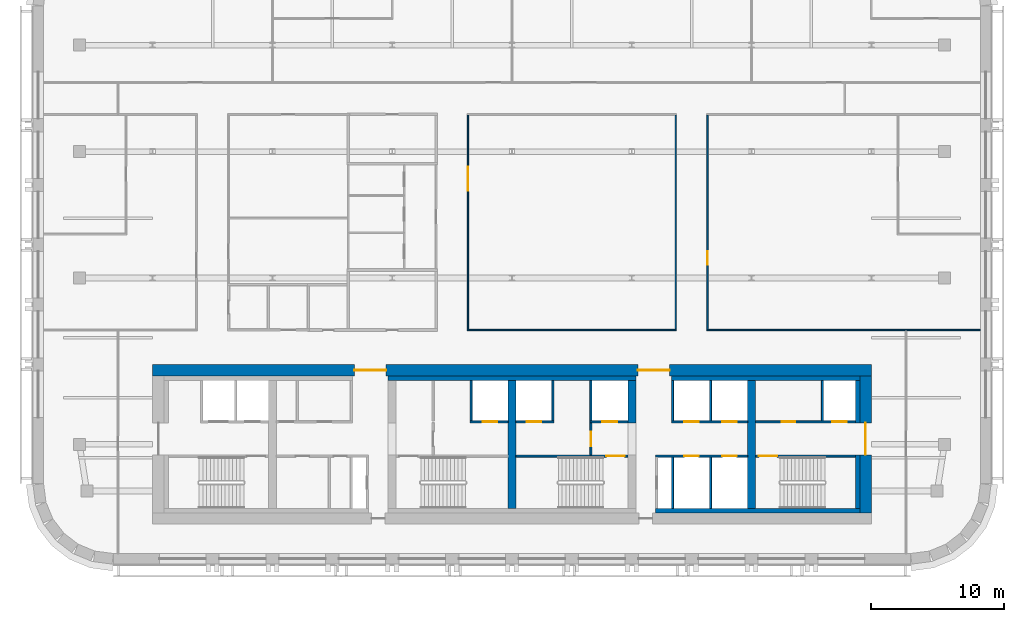
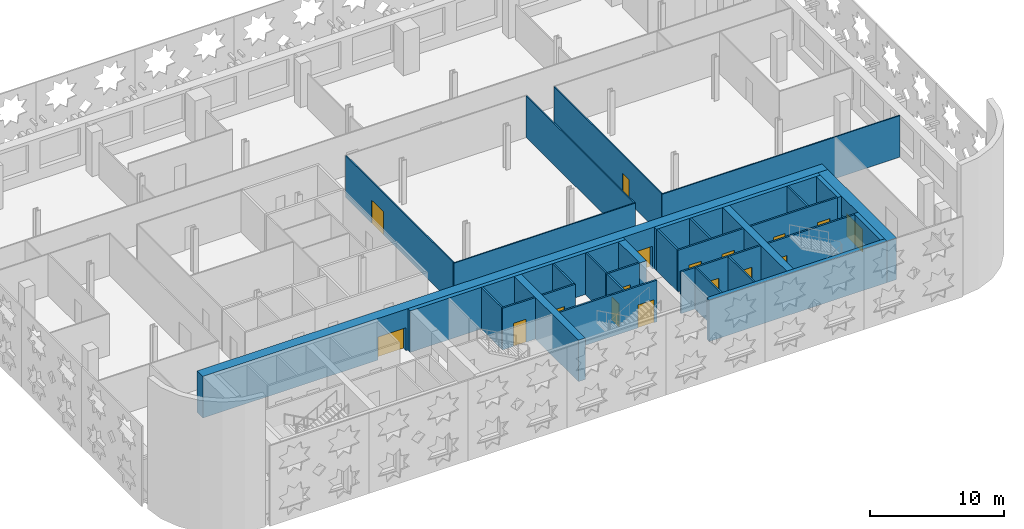
# One storey, part 5 of 14: 32 walls, 17 doors, 17 openings.
"""IFC4 building model written with IfcOpenShell, lengths in metres."""

import ifcopenshell
import ifcopenshell.guid

model = None  # the IFC model being written
_history = None  # IfcOwnerHistory: only IFC2X3 demands one
_inside = {}  # id of a spatial element -> (the spatial element, [elements in it])
_under = {}  # id of a project, library or spatial element -> (it, [spatial elements below it])
_declared = {}  # id of a project -> (the project, [libraries it declares])
_typed = {}  # id of a type object -> (the type object, [elements of that type])
_made_of = {}  # id of a material, layer set ... -> (it, [elements and type objects made of it])


def new_model(schema):
    """Start an empty IFC model of exactly this schema.

    Asked for "IFC4X3", IfcOpenShell would pick the latest addendum, in which some entities
    have other attributes; the version numbers below select the first issue.
    IFC2X3 requires an IfcOwnerHistory on every rooted entity: one is made here for all.
    """
    global model, _history
    if schema == "IFC4X3":
        model = ifcopenshell.file(schema_version=(4, 3, 0, 0))
    else:
        model = ifcopenshell.file(schema=schema)
    _inside.clear()
    _under.clear()
    _declared.clear()
    _typed.clear()
    _made_of.clear()
    _history = None
    if model.schema == "IFC2X3":
        org = make("IfcOrganization", Name="unknown")
        user = make(
            "IfcPersonAndOrganization",
            ThePerson=make("IfcPerson", FamilyName="unknown"),
            TheOrganization=org,
        )
        app = make(
            "IfcApplication",
            ApplicationDeveloper=org,
            Version="unknown",
            ApplicationFullName="unknown",
            ApplicationIdentifier="unknown",
        )
        _history = make(
            "IfcOwnerHistory",
            OwningUser=user,
            OwningApplication=app,
            ChangeAction="ADDED",
            CreationDate=0,
        )
    return model


def make(cls, **values):
    """One entity of the class cls with the attributes given. An attribute that is None is left unset."""
    return model.create_entity(
        cls, **{name: value for name, value in values.items() if value is not None}
    )


def rooted(cls, **values):
    """An entity with a GlobalId (a new one), such as an element, a storey or a relation."""
    return make(cls, GlobalId=ifcopenshell.guid.new(), OwnerHistory=_history, **values)


def si_unit(unit_type, name, prefix=None):
    """IfcSIUnit, for example si_unit("LENGTHUNIT", "METRE", prefix="MILLI")."""
    return make("IfcSIUnit", UnitType=unit_type, Prefix=prefix, Name=name)


def assignment(units):
    """IfcUnitAssignment: the units of a project."""
    return None if units is None else make("IfcUnitAssignment", Units=units)


def point(xyz):
    """IfcCartesianPoint."""
    return None if xyz is None else make("IfcCartesianPoint", Coordinates=xyz)


def direction(xyz):
    """IfcDirection."""
    return None if xyz is None else make("IfcDirection", DirectionRatios=xyz)


def frame(location, z_axis=None, x_axis=None):
    """IfcAxis2Placement3D, a coordinate frame: its origin and axes. An axis left out is left unset."""
    return make(
        "IfcAxis2Placement3D",
        Location=point(location),
        Axis=direction(z_axis),
        RefDirection=direction(x_axis),
    )


def frame_2d(location, x_axis=None):
    """IfcAxis2Placement2D, a coordinate frame in the plane: its origin and x axis."""
    return make(
        "IfcAxis2Placement2D", Location=point(location), RefDirection=direction(x_axis)
    )


def origin():
    """The frame at (0, 0, 0) with its axes left unset."""
    return frame((0.0, 0.0, 0.0))


def place(relative_to, where):
    """IfcLocalPlacement: puts the frame where relative to a parent placement (None: the world)."""
    return make(
        "IfcLocalPlacement", PlacementRelTo=relative_to, RelativePlacement=where
    )


def context(
    kind, dimensions, precision=None, world=None, true_north=None, identifier=None
):
    """IfcGeometricRepresentationContext, for example the 3D "Model" context."""
    return make(
        "IfcGeometricRepresentationContext",
        ContextIdentifier=identifier,
        ContextType=kind,
        CoordinateSpaceDimension=dimensions,
        Precision=precision,
        WorldCoordinateSystem=world,
        TrueNorth=true_north,
    )


def subcontext(parent, identifier, kind, view, scale=None):
    """IfcGeometricRepresentationSubContext, for example "Body" below "Model"."""
    return make(
        "IfcGeometricRepresentationSubContext",
        ContextIdentifier=identifier,
        ContextType=kind,
        ParentContext=parent,
        TargetScale=scale,
        TargetView=view,
    )


def project(units=None, contexts=None):
    """IfcProject with its units and contexts."""
    return rooted(
        "IfcProject",
        Name="project",
        RepresentationContexts=contexts,
        UnitsInContext=assignment(units),
    )


def spatial(cls, under=None, at=None, **own):
    """A site, building, storey or space (cls), placed at a placement, below another one or the project."""
    s = rooted(cls, ObjectPlacement=at, **own)
    if under is not None:
        _under.setdefault(under.id(), (under, []))[1].append(s)
    return s


def profile(cls, at=None, kind="AREA", **sizes):
    """A parametric profile (cls). Its sizes go by their IFC names, for example OverallWidth=200.0."""
    return make(cls, ProfileType=kind, Position=at, **sizes)


def rectangle(**sizes):
    """IfcRectangleProfileDef."""
    return profile("IfcRectangleProfileDef", **sizes)


def extrude(swept, where, along, depth):
    """IfcExtrudedAreaSolid: the profile swept, set in the frame where, extruded along a direction by depth."""
    return make(
        "IfcExtrudedAreaSolid",
        SweptArea=swept,
        Position=where,
        ExtrudedDirection=direction(along),
        Depth=depth,
    )


def shape(context_of_items, identifier, shape_type, items):
    """IfcShapeRepresentation: the items that make up one representation, for example the "Body"."""
    return make(
        "IfcShapeRepresentation",
        ContextOfItems=context_of_items,
        RepresentationIdentifier=identifier,
        RepresentationType=shape_type,
        Items=items,
    )


def material(Name=None, Category=None):
    """IfcMaterial."""
    return make("IfcMaterial", Name=Name, Category=Category)


def layer(
    of_material, thickness, ventilated=None, Name=None, Category=None, Priority=None
):
    """IfcMaterialLayer: one layer of a wall or slab, of a material (None: an air gap)."""
    return make(
        "IfcMaterialLayer",
        Material=of_material,
        LayerThickness=thickness,
        IsVentilated=ventilated,
        Name=Name,
        Category=Category,
        Priority=Priority,
    )


def layer_set(layers, Name=None):
    """IfcMaterialLayerSet."""
    return make("IfcMaterialLayerSet", MaterialLayers=layers, LayerSetName=Name)


def made_of(thing, what):
    """Note that an element or type object is made of a material, layer set ...; save() writes the relation."""
    if what is not None:
        _made_of.setdefault(what.id(), (what, []))[1].append(thing)
    return thing


def type_object(cls, material=None, **own):
    """A type object (cls), such as IfcWallType, which elements share."""
    return made_of(rooted(cls, **own), material)


def element(
    cls,
    number,
    at=None,
    inside=None,
    cuts=None,
    type_object=None,
    material=None,
    context=None,
    identifier="Body",
    shape_type=None,
    held_by="IfcProductDefinitionShape",
    body=None,
    shapes=None,
    **own,
):
    """One element of the class cls, such as IfcWall. Its Tag is "e" and its number.

    at: its placement. inside: the storey or other place that contains it. cuts: it is an
    opening in that element (IfcRelVoidsElement). A single representation is given by context,
    identifier, shape_type and body (its items); several are given by shapes. held_by: the class
    of the entity that holds the representations. save() writes the other relations.
    """
    e = rooted(cls, Tag="e%d" % number, ObjectPlacement=at, **own)
    if body is not None:
        shapes = [shape(context, identifier, shape_type, body)]
    if shapes is not None:
        e.Representation = make(held_by, Representations=shapes)
    if inside is not None:
        _inside.setdefault(inside.id(), (inside, []))[1].append(e)
    if cuts is not None:
        rooted(
            "IfcRelVoidsElement", RelatingBuildingElement=cuts, RelatedOpeningElement=e
        )
    if type_object is not None:
        _typed.setdefault(type_object.id(), (type_object, []))[1].append(e)
    return made_of(e, material)


def fill(opening, filler):
    """IfcRelFillsElement: the door or window that sits in an opening."""
    return rooted(
        "IfcRelFillsElement",
        RelatingOpeningElement=opening,
        RelatedBuildingElement=filler,
    )


def aggregate(whole, parts):
    """IfcRelAggregates: a whole, such as a stair, and the parts it consists of."""
    return rooted("IfcRelAggregates", RelatingObject=whole, RelatedObjects=parts)


def save(model, path):
    """Write the relations noted so far, then the file.

    IfcRelAggregates (storeys below a building ...), IfcRelContainedInSpatialStructure (elements
    in a storey), IfcRelDefinesByType, IfcRelAssociatesMaterial and IfcRelDeclares: one each for
    every whole, place, type object, material and project.
    """
    for whole, parts in _under.values():
        aggregate(whole, parts)
    for where, things in _inside.values():
        rooted(
            "IfcRelContainedInSpatialStructure",
            RelatedElements=things,
            RelatingStructure=where,
        )
    for kind, things in _typed.values():
        rooted("IfcRelDefinesByType", RelatedObjects=things, RelatingType=kind)
    for what, things in _made_of.values():
        rooted("IfcRelAssociatesMaterial", RelatedObjects=things, RelatingMaterial=what)
    for by, libraries in _declared.values():
        rooted("IfcRelDeclares", RelatingContext=by, RelatedDefinitions=libraries)
    model.write(path)


model = new_model("IFC4")

# Units and contexts
model_context = context("Model", 3, precision=1e-05, world=origin(), true_north=direction((0.0, 1.0)))
body_context = subcontext(model_context, "Body", "Model", "MODEL_VIEW")
ifc_project = project(units=[si_unit("LENGTHUNIT", "METRE"), si_unit("AREAUNIT", "SQUARE_METRE"), si_unit("VOLUMEUNIT", "CUBIC_METRE"), si_unit("PLANEANGLEUNIT", "RADIAN"), si_unit("MASSUNIT", "GRAM", prefix="KILO")], contexts=[model_context])

# Site, building, storey
site_placement = place(None, origin())
site = spatial("IfcSite", under=ifc_project, at=site_placement, CompositionType="ELEMENT")
building_placement = place(site_placement, origin())
building = spatial("IfcBuilding", under=site, at=building_placement, Name="Zellij Exchange Tower", CompositionType="ELEMENT")
storey_placement = place(building_placement, frame((0.0, 0.0, 164.5)))
storey = spatial("IfcBuildingStorey", under=building, at=storey_placement, Name="L37", CompositionType="ELEMENT", Elevation=164.5)

# Walls
ifc_material_1 = material(Name="Concrete C60/75", Category="concrete")
ifc_layer_1 = layer(ifc_material_1, 0.60009765625)
ifc_layer_set_1 = layer_set([ifc_layer_1], Name="Concrete C60/75")
wall_type_1 = type_object("IfcWallType", Name="CORE-CW 600 C60/75", PredefinedType="SHEAR", material=ifc_layer_set_1)
wall_1_placement = place(storey_placement, frame((0.0, -12.800048828125, 0.0), z_axis=(0.0, 0.0, 1.0), x_axis=(0.0, 1.0, 0.0)))
element("IfcWall", 1, at=wall_1_placement, inside=storey, type_object=wall_type_1, Name="Core cross wall x 0 L37", PredefinedType="SHEAR", context=body_context, shape_type="SweptSolid", body=[
    extrude(rectangle(XDim=9.60009765625, YDim=0.60009765625, at=frame_2d((4.800048828125, 0.0))), origin(), (0.0, 0.0, 1.0), 3.800048828125),
])
wall_2_placement = place(storey_placement, frame((9.0, -6.375, 0.0), z_axis=(0.0, 0.0, 1.0), x_axis=(0.0, 1.0, 0.0)))
element("IfcWall", 2, at=wall_2_placement, inside=storey, type_object=wall_type_1, Name="Core cross wall pier x 9 b L37", PredefinedType="SHEAR", context=body_context, shape_type="SweptSolid", body=[
    extrude(rectangle(XDim=3.175048828125, YDim=0.60009765625, at=frame_2d((1.58740234375, 0.0))), origin(), (0.0, 0.0, 1.0), 3.800048828125),
])
wall_3_placement = place(storey_placement, frame((18.0, -12.800048828125, 0.0), z_axis=(0.0, 0.0, 1.0), x_axis=(0.0, 1.0, 0.0)))
element("IfcWall", 3, at=wall_3_placement, inside=storey, type_object=wall_type_1, Name="Core cross wall x 18 L37", PredefinedType="SHEAR", context=body_context, shape_type="SweptSolid", body=[
    extrude(rectangle(XDim=9.60009765625, YDim=0.60009765625, at=frame_2d((4.800048828125, 0.0))), origin(), (0.0, 0.0, 1.0), 3.800048828125),
])
ifc_material_2 = material(Name="Concrete C30/37", Category="concrete")
ifc_layer_2 = layer(ifc_material_2, 0.35009765625)
ifc_layer_set_2 = layer_set([ifc_layer_2], Name="Concrete C30/37")
wall_type_2 = type_object("IfcWallType", Name="CORE-LW 350 C30/37", PredefinedType="SHEAR", material=ifc_layer_set_2)
wall_4_placement = place(storey_placement, frame((-9.300048828125, -3.02490234375, 0.0), z_axis=(0.0, 0.0, 1.0), x_axis=(1.0, 0.0, 0.0)))
element("IfcWall", 4, at=wall_4_placement, inside=storey, type_object=wall_type_2, Name="Core wall lining front.1 L37", PredefinedType="SHEAR", context=body_context, shape_type="SweptSolid", body=[
    extrude(rectangle(XDim=18.60009765625, YDim=0.35009765625, at=frame_2d((9.300048828125, 0.0))), origin(), (0.0, 0.0, 1.0), 3.800048828125),
])
wall_5_placement = place(storey_placement, frame((12.0, -3.02490234375, 0.0), z_axis=(0.0, 0.0, 1.0), x_axis=(1.0, 0.0, 0.0)))
element("IfcWall", 5, at=wall_5_placement, inside=storey, type_object=wall_type_2, Name="Core wall lining front.2 L37", PredefinedType="SHEAR", context=body_context, shape_type="SweptSolid", body=[
    extrude(rectangle(XDim=14.14990234375, YDim=0.35009765625, at=frame_2d((7.074951171875, 0.0))), origin(), (0.0, 0.0, 1.0), 3.800048828125),
])
wall_6_placement = place(storey_placement, frame((10.800048828125, -12.97509765625, 0.0), z_axis=(0.0, 0.0, 1.0), x_axis=(1.0, 0.0, 0.0)))
element("IfcWall", 6, at=wall_6_placement, inside=storey, type_object=wall_type_2, Name="Core wall lining rear.2 L37", PredefinedType="SHEAR", context=body_context, shape_type="SweptSolid", body=[
    extrude(rectangle(XDim=15.349853515625, YDim=0.35009765625, at=frame_2d((7.6748046875, 0.0))), origin(), (0.0, 0.0, 1.0), 3.800048828125),
])
wall_7_placement = place(storey_placement, frame((25.97509765625, -12.800048828125, 0.0), z_axis=(0.0, 0.0, 1.0), x_axis=(0.0, 1.0, 0.0)))
element("IfcWall", 7, at=wall_7_placement, inside=storey, type_object=wall_type_2, Name="Core wall lining end e.0 L37", PredefinedType="SHEAR", context=body_context, shape_type="SweptSolid", body=[
    extrude(rectangle(XDim=4.0, YDim=0.35009765625, at=frame_2d((2.0, 0.0))), origin(), (0.0, 0.0, 1.0), 3.800048828125),
])
wall_8_placement = place(storey_placement, frame((25.97509765625, -6.375, 0.0), z_axis=(0.0, 0.0, 1.0), x_axis=(0.0, 1.0, 0.0)))
element("IfcWall", 8, at=wall_8_placement, inside=storey, type_object=wall_type_2, Name="Core wall lining end e.1 L37", PredefinedType="SHEAR", context=body_context, shape_type="SweptSolid", body=[
    extrude(rectangle(XDim=3.175048828125, YDim=0.35009765625, at=frame_2d((1.58740234375, 0.0))), origin(), (0.0, 0.0, 1.0), 3.800048828125),
])

# Wall, opening, door
ifc_material_3 = material(Name="Gypsum shaft wall system")
ifc_layer_3 = layer(ifc_material_3, 0.14990234375)
ifc_layer_set_3 = layer_set([ifc_layer_3], Name="Gypsum shaft wall system")
wall_type_3 = type_object("IfcWallType", Name="CORE-PW 150 Firefighting lobby wall", PredefinedType="PARTITIONING", material=ifc_layer_set_3)
wall_9_placement = place(storey_placement, frame((5.925048828125, -8.800048828125, 0.0), z_axis=(0.0, 0.0, 1.0), x_axis=(0.0, 1.0, 0.0)))
wall_9 = element("IfcWall", 9, at=wall_9_placement, inside=storey, type_object=wall_type_3, Name="Firefighting lobby wall L37", PredefinedType="PARTITIONING", context=body_context, shape_type="SweptSolid", body=[
    extrude(rectangle(XDim=2.425048828125, YDim=0.14990234375, at=frame_2d((1.21240234375, 0.0))), origin(), (0.0, 0.0, 1.0), 3.800048828125),
])
opening_1_placement = place(wall_9_placement, frame((0.662109375, 0.0, 0.0)))
opening_1 = element("IfcOpeningElement", 10, at=opening_1_placement, cuts=wall_9, Name="Opening CA-21.16", PredefinedType="OPENING", context=body_context, shape_type="SweptSolid", body=[
    extrude(rectangle(XDim=1.10009765625, YDim=2.10009765625, at=frame_2d((0.550048828125, 1.050048828125))), frame((0.0, 0.0869140625, 0.0), z_axis=(0.0, -1.0, 0.0), x_axis=(1.0, 0.0, 0.0)), (0.0, 0.0, 1.0), 0.173828125),
])
ifc_material_4 = material(Name="Hollow metal fire door")
door_type_1 = type_object("IfcDoorType", Name="CORE-D F Firefighting lobby door 1100x2100 1 HR", OperationType="NOTDEFINED", PredefinedType="DOOR", material=ifc_material_4)
door_1_placement = place(opening_1_placement, origin())
door_1 = element("IfcDoor", 11, at=door_1_placement, inside=storey, type_object=door_type_1, Name="Firefighting lobby door CA-21.16", OperationType="SINGLE_SWING_RIGHT", OverallHeight=2.10009765625, OverallWidth=1.10009765625, PredefinedType="DOOR", context=body_context, shape_type="SweptSolid", body=[
    extrude(rectangle(XDim=1.10009765625, YDim=2.10009765625, at=frame_2d((0.550048828125, 1.050048828125))), frame((0.0, 0.02490234375, 0.0), z_axis=(0.0, -1.0, 0.0), x_axis=(1.0, 0.0, 0.0)), (0.0, 0.0, 1.0), 0.050048828125),
])
fill(opening_1, door_1)

# Walls
ifc_layer_4 = layer(ifc_material_3, 0.14990234375)
ifc_layer_set_4 = layer_set([ifc_layer_4], Name="Gypsum shaft wall system")
wall_type_4 = type_object("IfcWallType", Name="CORE-PW 150 Lift shaft wall", PredefinedType="PARTITIONING", material=ifc_layer_set_4)
for number, where, z_axis, x_axis, name in (
    (12, (-3.074951171875, -6.22509765625, 0.0), (0.0, 0.0, 1.0), (0.0, 1.0, 0.0), "Lift shaft wall L37"),
    (13, (3.074951171875, -6.22509765625, 0.0), (0.0, 0.0, 1.0), (0.0, 1.0, 0.0), "Lift shaft wall L37"),
    (14, (5.925048828125, -6.22509765625, 0.0), (0.0, 0.0, 1.0), (0.0, 1.0, 0.0), "Lift shaft wall L37"),
    (15, (12.074951171875, -6.22509765625, 0.0), (0.0, 0.0, 1.0), (0.0, 1.0, 0.0), "Lift shaft wall L37"),
    (16, (14.925048828125, -6.22509765625, 0.0), (0.0, 0.0, 1.0), (0.0, 1.0, 0.0), "Lift shaft wall L37"),
    (17, (23.324951171875, -6.22509765625, 0.0), (0.0, 0.0, 1.0), (0.0, 1.0, 0.0), "Lift shaft wall L37"),
):
    element("IfcWall", number, at=place(storey_placement, frame(where, z_axis=z_axis, x_axis=x_axis)), inside=storey, type_object=wall_type_4, Name=name, PredefinedType="PARTITIONING", context=body_context, shape_type="SweptSolid", body=[
        extrude(rectangle(XDim=3.025146484375, YDim=0.14990234375, at=frame_2d((1.5126953125, 0.0))), origin(), (0.0, 0.0, 1.0), 3.800048828125),
    ])
for number, where, z_axis, x_axis, name in (
    (18, (12.074951171875, -12.800048828125, 0.0), (0.0, 0.0, 1.0), (0.0, 1.0, 0.0), "Lift shaft wall L37"),
    (19, (14.925048828125, -12.800048828125, 0.0), (0.0, 0.0, 1.0), (0.0, 1.0, 0.0), "Lift shaft wall L37"),
):
    element("IfcWall", number, at=place(storey_placement, frame(where, z_axis=z_axis, x_axis=x_axis)), inside=storey, type_object=wall_type_4, Name=name, PredefinedType="PARTITIONING", context=body_context, shape_type="SweptSolid", body=[
        extrude(rectangle(XDim=3.85009765625, YDim=0.14990234375, at=frame_2d((1.925048828125, 0.0))), origin(), (0.0, 0.0, 1.0), 3.800048828125),
    ])

# Wall, opening, door
wall_10_placement = place(storey_placement, frame((-3.14990234375, -6.300048828125, 0.0), z_axis=(0.0, 0.0, 1.0), x_axis=(1.0, 0.0, 0.0)))
wall_10 = element("IfcWall", 20, at=wall_10_placement, inside=storey, type_object=wall_type_4, Name="Lift shaft wall L37", PredefinedType="PARTITIONING", context=body_context, shape_type="SweptSolid", body=[
    extrude(rectangle(XDim=2.849853515625, YDim=0.14990234375, at=frame_2d((1.4248046875, 0.0))), origin(), (0.0, 0.0, 1.0), 3.800048828125),
])
opening_2_placement = place(wall_10_placement, frame((0.949951171875, 0.0, 0.0)))
opening_2 = element("IfcOpeningElement", 21, at=opening_2_placement, cuts=wall_10, Name="Opening CA-21.14", PredefinedType="OPENING", context=body_context, shape_type="SweptSolid", body=[
    extrude(rectangle(XDim=1.10009765625, YDim=2.10009765625, at=frame_2d((0.550048828125, 1.050048828125))), frame((0.0, 0.0869140625, 0.0), z_axis=(0.0, -1.0, 0.0), x_axis=(1.0, 0.0, 0.0)), (0.0, 0.0, 1.0), 0.173828125),
])
door_type_2 = type_object("IfcDoorType", Name="CORE-D LD Lift landing door 1100x2100 1.5 HR", OperationType="NOTDEFINED", PredefinedType="DOOR", material=ifc_material_4)
door_2_placement = place(opening_2_placement, origin())
door_2 = element("IfcDoor", 22, at=door_2_placement, inside=storey, type_object=door_type_2, Name="Lift landing door CA-21.14", OperationType="SLIDING_TO_RIGHT", OverallHeight=2.10009765625, OverallWidth=1.10009765625, PredefinedType="DOOR", context=body_context, shape_type="SweptSolid", body=[
    extrude(rectangle(XDim=1.10009765625, YDim=2.10009765625, at=frame_2d((0.550048828125, 1.050048828125))), frame((0.0, 0.02490234375, 0.0), z_axis=(0.0, -1.0, 0.0), x_axis=(1.0, 0.0, 0.0)), (0.0, 0.0, 1.0), 0.050048828125),
])
fill(opening_2, door_2)

wall_11_placement = place(storey_placement, frame((0.300048828125, -6.300048828125, 0.0), z_axis=(0.0, 0.0, 1.0), x_axis=(1.0, 0.0, 0.0)))
wall_11 = element("IfcWall", 23, at=wall_11_placement, inside=storey, type_object=wall_type_4, Name="Lift shaft wall L37", PredefinedType="PARTITIONING", context=body_context, shape_type="SweptSolid", body=[
    extrude(rectangle(XDim=2.849853515625, YDim=0.14990234375, at=frame_2d((1.4248046875, 0.0))), origin(), (0.0, 0.0, 1.0), 3.800048828125),
])
opening_3_placement = place(wall_11_placement, frame((0.800048828125, 0.0, 0.0)))
opening_3 = element("IfcOpeningElement", 24, at=opening_3_placement, cuts=wall_11, Name="Opening CA-21.15", PredefinedType="OPENING", context=body_context, shape_type="SweptSolid", body=[
    extrude(rectangle(XDim=1.10009765625, YDim=2.10009765625, at=frame_2d((0.550048828125, 1.050048828125))), frame((0.0, 0.0869140625, 0.0), z_axis=(0.0, -1.0, 0.0), x_axis=(1.0, 0.0, 0.0)), (0.0, 0.0, 1.0), 0.173828125),
])
door_3_placement = place(opening_3_placement, origin())
door_3 = element("IfcDoor", 25, at=door_3_placement, inside=storey, type_object=door_type_2, Name="Lift landing door CA-21.15", OperationType="SLIDING_TO_LEFT", OverallHeight=2.10009765625, OverallWidth=1.10009765625, PredefinedType="DOOR", context=body_context, shape_type="SweptSolid", body=[
    extrude(rectangle(XDim=1.10009765625, YDim=2.10009765625, at=frame_2d((0.550048828125, 1.050048828125))), frame((0.0, 0.02490234375, 0.0), z_axis=(0.0, -1.0, 0.0), x_axis=(1.0, 0.0, 0.0)), (0.0, 0.0, 1.0), 0.050048828125),
])
fill(opening_3, door_3)

wall_12_placement = place(storey_placement, frame((5.85009765625, -6.300048828125, 0.0), z_axis=(0.0, 0.0, 1.0), x_axis=(1.0, 0.0, 0.0)))
wall_12 = element("IfcWall", 26, at=wall_12_placement, inside=storey, type_object=wall_type_4, Name="Lift shaft wall L37", PredefinedType="PARTITIONING", context=body_context, shape_type="SweptSolid", body=[
    extrude(rectangle(XDim=2.849853515625, YDim=0.14990234375, at=frame_2d((1.4248046875, 0.0))), origin(), (0.0, 0.0, 1.0), 3.800048828125),
])
opening_4_placement = place(wall_12_placement, frame((0.949951171875, 0.0, 0.0)))
opening_4 = element("IfcOpeningElement", 27, at=opening_4_placement, cuts=wall_12, Name="Opening CA-21.17", PredefinedType="OPENING", context=body_context, shape_type="SweptSolid", body=[
    extrude(rectangle(XDim=1.10009765625, YDim=2.10009765625, at=frame_2d((0.550048828125, 1.050048828125))), frame((0.0, 0.0869140625, 0.0), z_axis=(0.0, -1.0, 0.0), x_axis=(1.0, 0.0, 0.0)), (0.0, 0.0, 1.0), 0.173828125),
])
door_4_placement = place(opening_4_placement, origin())
door_4 = element("IfcDoor", 28, at=door_4_placement, inside=storey, type_object=door_type_2, Name="Lift landing door CA-21.17", OperationType="SLIDING_TO_LEFT", OverallHeight=2.10009765625, OverallWidth=1.10009765625, PredefinedType="DOOR", context=body_context, shape_type="SweptSolid", body=[
    extrude(rectangle(XDim=1.10009765625, YDim=2.10009765625, at=frame_2d((0.550048828125, 1.050048828125))), frame((0.0, 0.02490234375, 0.0), z_axis=(0.0, -1.0, 0.0), x_axis=(1.0, 0.0, 0.0)), (0.0, 0.0, 1.0), 0.050048828125),
])
fill(opening_4, door_4)

# Wall, openings, doors
wall_13_placement = place(storey_placement, frame((12.0, -6.300048828125, 0.0), z_axis=(0.0, 0.0, 1.0), x_axis=(1.0, 0.0, 0.0)))
wall_13 = element("IfcWall", 29, at=wall_13_placement, inside=storey, type_object=wall_type_4, Name="Lift shaft wall L37", PredefinedType="PARTITIONING", context=body_context, shape_type="SweptSolid", body=[
    extrude(rectangle(XDim=5.699951171875, YDim=0.14990234375, at=frame_2d((2.85009765625, 0.0))), origin(), (0.0, 0.0, 1.0), 3.800048828125),
])
opening_5_placement = place(wall_13_placement, frame((0.949951171875, 0.0, 0.0)))
opening_5 = element("IfcOpeningElement", 30, at=opening_5_placement, cuts=wall_13, Name="Opening CA-21.23", PredefinedType="OPENING", context=body_context, shape_type="SweptSolid", body=[
    extrude(rectangle(XDim=1.10009765625, YDim=2.10009765625, at=frame_2d((0.550048828125, 1.050048828125))), frame((0.0, 0.0869140625, 0.0), z_axis=(0.0, -1.0, 0.0), x_axis=(1.0, 0.0, 0.0)), (0.0, 0.0, 1.0), 0.173828125),
])
opening_6_placement = place(wall_13_placement, frame((3.800048828125, 0.0, 0.0)))
opening_6 = element("IfcOpeningElement", 31, at=opening_6_placement, cuts=wall_13, Name="Opening CA-21.25", PredefinedType="OPENING", context=body_context, shape_type="SweptSolid", body=[
    extrude(rectangle(XDim=1.10009765625, YDim=2.10009765625, at=frame_2d((0.550048828125, 1.050048828125))), frame((0.0, 0.0869140625, 0.0), z_axis=(0.0, -1.0, 0.0), x_axis=(1.0, 0.0, 0.0)), (0.0, 0.0, 1.0), 0.173828125),
])
door_5_placement = place(opening_5_placement, origin())
door_5 = element("IfcDoor", 32, at=door_5_placement, inside=storey, type_object=door_type_2, Name="Lift landing door CA-21.23", OperationType="SLIDING_TO_LEFT", OverallHeight=2.10009765625, OverallWidth=1.10009765625, PredefinedType="DOOR", context=body_context, shape_type="SweptSolid", body=[
    extrude(rectangle(XDim=1.10009765625, YDim=2.10009765625, at=frame_2d((0.550048828125, 1.050048828125))), frame((0.0, 0.02490234375, 0.0), z_axis=(0.0, -1.0, 0.0), x_axis=(1.0, 0.0, 0.0)), (0.0, 0.0, 1.0), 0.050048828125),
])
fill(opening_5, door_5)
door_6_placement = place(opening_6_placement, origin())
door_6 = element("IfcDoor", 33, at=door_6_placement, inside=storey, type_object=door_type_2, Name="Lift landing door CA-21.25", OperationType="SLIDING_TO_LEFT", OverallHeight=2.10009765625, OverallWidth=1.10009765625, PredefinedType="DOOR", context=body_context, shape_type="SweptSolid", body=[
    extrude(rectangle(XDim=1.10009765625, YDim=2.10009765625, at=frame_2d((0.550048828125, 1.050048828125))), frame((0.0, 0.02490234375, 0.0), z_axis=(0.0, -1.0, 0.0), x_axis=(1.0, 0.0, 0.0)), (0.0, 0.0, 1.0), 0.050048828125),
])
fill(opening_6, door_6)

wall_14_placement = place(storey_placement, frame((18.300048828125, -6.300048828125, 0.0), z_axis=(0.0, 0.0, 1.0), x_axis=(1.0, 0.0, 0.0)))
wall_14 = element("IfcWall", 34, at=wall_14_placement, inside=storey, type_object=wall_type_4, Name="Lift shaft wall L37", PredefinedType="PARTITIONING", context=body_context, shape_type="SweptSolid", body=[
    extrude(rectangle(XDim=7.5, YDim=0.14990234375, at=frame_2d((3.75, 0.0))), origin(), (0.0, 0.0, 1.0), 3.800048828125),
])
opening_7_placement = place(wall_14_placement, frame((1.97509765625, 0.0, 0.0)))
opening_7 = element("IfcOpeningElement", 35, at=opening_7_placement, cuts=wall_14, Name="Opening CA-21.27", PredefinedType="OPENING", context=body_context, shape_type="SweptSolid", body=[
    extrude(rectangle(XDim=1.0, YDim=2.10009765625, at=frame_2d((0.5, 1.050048828125))), frame((0.0, 0.0869140625, 0.0), z_axis=(0.0, -1.0, 0.0), x_axis=(1.0, 0.0, 0.0)), (0.0, 0.0, 1.0), 0.173828125),
])
opening_8_placement = place(wall_14_placement, frame((5.75, 0.0, 0.0)))
opening_8 = element("IfcOpeningElement", 36, at=opening_8_placement, cuts=wall_14, Name="Opening CA-21.28", PredefinedType="OPENING", context=body_context, shape_type="SweptSolid", body=[
    extrude(rectangle(XDim=1.10009765625, YDim=2.10009765625, at=frame_2d((0.550048828125, 1.050048828125))), frame((0.0, 0.0869140625, 0.0), z_axis=(0.0, -1.0, 0.0), x_axis=(1.0, 0.0, 0.0)), (0.0, 0.0, 1.0), 0.173828125),
])
door_type_3 = type_object("IfcDoorType", Name="CORE-D CD Core room door 1000x2100 1 HR", OperationType="NOTDEFINED", PredefinedType="DOOR", material=ifc_material_4)
door_7_placement = place(opening_7_placement, origin())
door_7 = element("IfcDoor", 37, at=door_7_placement, inside=storey, type_object=door_type_3, Name="Core room door CA-21.27", OperationType="SINGLE_SWING_LEFT", OverallHeight=2.10009765625, OverallWidth=1.0, PredefinedType="DOOR", context=body_context, shape_type="SweptSolid", body=[
    extrude(rectangle(XDim=1.0, YDim=2.10009765625, at=frame_2d((0.5, 1.050048828125))), frame((0.0, 0.02490234375, 0.0), z_axis=(0.0, -1.0, 0.0), x_axis=(1.0, 0.0, 0.0)), (0.0, 0.0, 1.0), 0.050048828125),
])
fill(opening_7, door_7)
door_8_placement = place(opening_8_placement, origin())
door_8 = element("IfcDoor", 38, at=door_8_placement, inside=storey, type_object=door_type_2, Name="Lift landing door CA-21.28", OperationType="SLIDING_TO_RIGHT", OverallHeight=2.10009765625, OverallWidth=1.10009765625, PredefinedType="DOOR", context=body_context, shape_type="SweptSolid", body=[
    extrude(rectangle(XDim=1.10009765625, YDim=2.10009765625, at=frame_2d((0.550048828125, 1.050048828125))), frame((0.0, 0.02490234375, 0.0), z_axis=(0.0, -1.0, 0.0), x_axis=(1.0, 0.0, 0.0)), (0.0, 0.0, 1.0), 0.050048828125),
])
fill(opening_8, door_8)

wall_15_placement = place(storey_placement, frame((10.800048828125, -8.875, 0.0), z_axis=(0.0, 0.0, 1.0), x_axis=(1.0, 0.0, 0.0)))
wall_15 = element("IfcWall", 39, at=wall_15_placement, inside=storey, type_object=wall_type_4, Name="Lift shaft wall L37", PredefinedType="PARTITIONING", context=body_context, shape_type="SweptSolid", body=[
    extrude(rectangle(XDim=6.89990234375, YDim=0.14990234375, at=frame_2d((3.449951171875, 0.0))), origin(), (0.0, 0.0, 1.0), 3.800048828125),
])
opening_9_placement = place(wall_15_placement, frame((2.14990234375, 0.0, 0.0)))
opening_9 = element("IfcOpeningElement", 40, at=opening_9_placement, cuts=wall_15, Name="Opening CA-21.22", PredefinedType="OPENING", context=body_context, shape_type="SweptSolid", body=[
    extrude(rectangle(XDim=1.10009765625, YDim=2.10009765625, at=frame_2d((0.550048828125, 1.050048828125))), frame((0.0, 0.0869140625, 0.0), z_axis=(0.0, -1.0, 0.0), x_axis=(1.0, 0.0, 0.0)), (0.0, 0.0, 1.0), 0.173828125),
])
opening_10_placement = place(wall_15_placement, frame((5.0, 0.0, 0.0)))
opening_10 = element("IfcOpeningElement", 41, at=opening_10_placement, cuts=wall_15, Name="Opening CA-21.24", PredefinedType="OPENING", context=body_context, shape_type="SweptSolid", body=[
    extrude(rectangle(XDim=1.10009765625, YDim=2.10009765625, at=frame_2d((0.550048828125, 1.050048828125))), frame((0.0, 0.0869140625, 0.0), z_axis=(0.0, -1.0, 0.0), x_axis=(1.0, 0.0, 0.0)), (0.0, 0.0, 1.0), 0.173828125),
])
door_9_placement = place(opening_9_placement, origin())
door_9 = element("IfcDoor", 42, at=door_9_placement, inside=storey, type_object=door_type_2, Name="Lift landing door CA-21.22", OperationType="SLIDING_TO_RIGHT", OverallHeight=2.10009765625, OverallWidth=1.10009765625, PredefinedType="DOOR", context=body_context, shape_type="SweptSolid", body=[
    extrude(rectangle(XDim=1.10009765625, YDim=2.10009765625, at=frame_2d((0.550048828125, 1.050048828125))), frame((0.0, 0.02490234375, 0.0), z_axis=(0.0, -1.0, 0.0), x_axis=(1.0, 0.0, 0.0)), (0.0, 0.0, 1.0), 0.050048828125),
])
fill(opening_9, door_9)
door_10_placement = place(opening_10_placement, origin())
door_10 = element("IfcDoor", 43, at=door_10_placement, inside=storey, type_object=door_type_2, Name="Lift landing door CA-21.24", OperationType="SLIDING_TO_RIGHT", OverallHeight=2.10009765625, OverallWidth=1.10009765625, PredefinedType="DOOR", context=body_context, shape_type="SweptSolid", body=[
    extrude(rectangle(XDim=1.10009765625, YDim=2.10009765625, at=frame_2d((0.550048828125, 1.050048828125))), frame((0.0, 0.02490234375, 0.0), z_axis=(0.0, -1.0, 0.0), x_axis=(1.0, 0.0, 0.0)), (0.0, 0.0, 1.0), 0.050048828125),
])
fill(opening_10, door_10)

ifc_layer_5 = layer(ifc_material_1, 0.85009765625)
ifc_layer_set_5 = layer_set([ifc_layer_5], Name="Concrete C60/75")
wall_type_5 = type_object("IfcWallType", Name="CORE-SW 850 C60/75", PredefinedType="SHEAR", material=ifc_layer_set_5)
wall_16_placement = place(storey_placement, frame((-27.0, -2.425048828125, 0.0), z_axis=(0.0, 0.0, 1.0), x_axis=(1.0, 0.0, 0.0)))
wall_16 = element("IfcWall", 44, at=wall_16_placement, inside=storey, type_object=wall_type_5, Name="Core shear wall front L37", PredefinedType="SHEAR", context=body_context, shape_type="SweptSolid", body=[
    extrude(rectangle(XDim=54.0, YDim=0.85009765625, at=frame_2d((27.0, 0.0))), origin(), (0.0, 0.0, 1.0), 3.800048828125),
])
opening_11_placement = place(wall_16_placement, frame((15.14990234375, 0.0, 0.0)))
opening_11 = element("IfcOpeningElement", 45, at=opening_11_placement, cuts=wall_16, Name="Opening CA-21.10", PredefinedType="OPENING", context=body_context, shape_type="SweptSolid", body=[
    extrude(rectangle(XDim=2.39990234375, YDim=2.10009765625, at=frame_2d((1.199951171875, 1.050048828125))), frame((0.0, 0.43701171875, 0.0), z_axis=(0.0, -1.0, 0.0), x_axis=(1.0, 0.0, 0.0)), (0.0, 0.0, 1.0), 0.8740234375),
])
opening_12_placement = place(wall_16_placement, frame((36.449951171875, 0.0, 0.0)))
opening_12 = element("IfcOpeningElement", 46, at=opening_12_placement, cuts=wall_16, Name="Opening CA-21.20", PredefinedType="OPENING", context=body_context, shape_type="SweptSolid", body=[
    extrude(rectangle(XDim=2.39990234375, YDim=2.10009765625, at=frame_2d((1.199951171875, 1.050048828125))), frame((0.0, 0.43701171875, 0.0), z_axis=(0.0, -1.0, 0.0), x_axis=(1.0, 0.0, 0.0)), (0.0, 0.0, 1.0), 0.8740234375),
])
door_type_4 = type_object("IfcDoorType", Name="CORE-D CE Core entrance door 2400x2100 20 MIN", OperationType="NOTDEFINED", PredefinedType="DOOR", material=ifc_material_4)
door_11_placement = place(opening_11_placement, origin())
door_11 = element("IfcDoor", 47, at=door_11_placement, inside=storey, type_object=door_type_4, Name="Core entrance door CA-21.10", OperationType="DOUBLE_DOOR_SINGLE_SWING", OverallHeight=2.10009765625, OverallWidth=2.39990234375, PredefinedType="DOOR", context=body_context, shape_type="SweptSolid", body=[
    extrude(rectangle(XDim=2.39990234375, YDim=2.10009765625, at=frame_2d((1.199951171875, 1.050048828125))), frame((0.0, 0.02490234375, 0.0), z_axis=(0.0, -1.0, 0.0), x_axis=(1.0, 0.0, 0.0)), (0.0, 0.0, 1.0), 0.050048828125),
])
fill(opening_11, door_11)
door_12_placement = place(opening_12_placement, origin())
door_12 = element("IfcDoor", 48, at=door_12_placement, inside=storey, type_object=door_type_4, Name="Core entrance door CA-21.20", OperationType="DOUBLE_DOOR_SINGLE_SWING", OverallHeight=2.10009765625, OverallWidth=2.39990234375, PredefinedType="DOOR", context=body_context, shape_type="SweptSolid", body=[
    extrude(rectangle(XDim=2.39990234375, YDim=2.10009765625, at=frame_2d((1.199951171875, 1.050048828125))), frame((0.0, 0.02490234375, 0.0), z_axis=(0.0, -1.0, 0.0), x_axis=(1.0, 0.0, 0.0)), (0.0, 0.0, 1.0), 0.050048828125),
])
fill(opening_12, door_12)

# Wall, opening, door
wall_17_placement = place(storey_placement, frame((26.574951171875, -13.14990234375, 0.0), z_axis=(0.0, 0.0, 1.0), x_axis=(0.0, 1.0, 0.0)))
wall_17 = element("IfcWall", 49, at=wall_17_placement, inside=storey, type_object=wall_type_5, Name="Core shear wall end e L37", PredefinedType="SHEAR", context=body_context, shape_type="SweptSolid", body=[
    extrude(rectangle(XDim=10.2998046875, YDim=0.85009765625, at=frame_2d((5.14990234375, 0.0))), origin(), (0.0, 0.0, 1.0), 3.800048828125),
])
opening_13_placement = place(wall_17_placement, frame((4.362060546875, 0.0, 0.0)))
opening_13 = element("IfcOpeningElement", 50, at=opening_13_placement, cuts=wall_17, Name="Opening CA-21.29", PredefinedType="OPENING", context=body_context, shape_type="SweptSolid", body=[
    extrude(rectangle(XDim=2.39990234375, YDim=2.10009765625, at=frame_2d((1.199951171875, 1.050048828125))), frame((0.0, 0.43701171875, 0.0), z_axis=(0.0, -1.0, 0.0), x_axis=(1.0, 0.0, 0.0)), (0.0, 0.0, 1.0), 0.8740234375),
])
door_13_placement = place(opening_13_placement, origin())
door_13 = element("IfcDoor", 51, at=door_13_placement, inside=storey, type_object=door_type_4, Name="Core entrance door CA-21.29", OperationType="DOUBLE_DOOR_SINGLE_SWING", OverallHeight=2.10009765625, OverallWidth=2.39990234375, PredefinedType="DOOR", context=body_context, shape_type="SweptSolid", body=[
    extrude(rectangle(XDim=2.39990234375, YDim=2.10009765625, at=frame_2d((1.199951171875, 1.050048828125))), frame((0.0, 0.02490234375, 0.0), z_axis=(0.0, -1.0, 0.0), x_axis=(1.0, 0.0, 0.0)), (0.0, 0.0, 1.0), 0.050048828125),
])
fill(opening_13, door_13)

ifc_layer_6 = layer(ifc_material_1, 0.14990234375)
ifc_layer_set_6 = layer_set([ifc_layer_6], Name="Concrete C60/75")
wall_type_6 = type_object("IfcWallType", Name="CORE-SWS 150 C60/75", PredefinedType="SHEAR", material=ifc_layer_set_6)
wall_18_placement = place(storey_placement, frame((0.300048828125, -8.875, 0.0), z_axis=(0.0, 0.0, 1.0), x_axis=(1.0, 0.0, 0.0)))
wall_18 = element("IfcWall", 52, at=wall_18_placement, inside=storey, type_object=wall_type_6, Name="Stair enclosure wall L37", PredefinedType="SHEAR", context=body_context, shape_type="SweptSolid", body=[
    extrude(rectangle(XDim=8.39990234375, YDim=0.14990234375, at=frame_2d((4.199951171875, 0.0))), origin(), (0.0, 0.0, 1.0), 3.800048828125),
])
opening_14_placement = place(wall_18_placement, frame((6.77490234375, 0.0, 0.0)))
opening_14 = element("IfcOpeningElement", 53, at=opening_14_placement, cuts=wall_18, Name="Opening CA-21.18", PredefinedType="OPENING", context=body_context, shape_type="SweptSolid", body=[
    extrude(rectangle(XDim=1.39990234375, YDim=2.10009765625, at=frame_2d((0.699951171875, 1.050048828125))), frame((0.0, 0.0869140625, 0.0), z_axis=(0.0, -1.0, 0.0), x_axis=(1.0, 0.0, 0.0)), (0.0, 0.0, 1.0), 0.173828125),
])
door_type_5 = type_object("IfcDoorType", Name="CORE-D SD Stair door 1400x2100 1.5 HR", OperationType="NOTDEFINED", PredefinedType="DOOR", material=ifc_material_4)
door_14_placement = place(opening_14_placement, origin())
door_14 = element("IfcDoor", 54, at=door_14_placement, inside=storey, type_object=door_type_5, Name="Stair door CA-21.18", OperationType="DOUBLE_DOOR_SINGLE_SWING", OverallHeight=2.10009765625, OverallWidth=1.39990234375, PredefinedType="DOOR", context=body_context, shape_type="SweptSolid", body=[
    extrude(rectangle(XDim=1.39990234375, YDim=2.10009765625, at=frame_2d((0.699951171875, 1.050048828125))), frame((0.0, 0.02490234375, 0.0), z_axis=(0.0, -1.0, 0.0), x_axis=(1.0, 0.0, 0.0)), (0.0, 0.0, 1.0), 0.050048828125),
])
fill(opening_14, door_14)

wall_19_placement = place(storey_placement, frame((18.300048828125, -8.875, 0.0), z_axis=(0.0, 0.0, 1.0), x_axis=(1.0, 0.0, 0.0)))
wall_19 = element("IfcWall", 55, at=wall_19_placement, inside=storey, type_object=wall_type_6, Name="Stair enclosure wall L37", PredefinedType="SHEAR", context=body_context, shape_type="SweptSolid", body=[
    extrude(rectangle(XDim=7.5, YDim=0.14990234375, at=frame_2d((3.75, 0.0))), origin(), (0.0, 0.0, 1.0), 3.800048828125),
])
opening_15_placement = place(wall_19_placement, frame((0.22509765625, 0.0, 0.0)))
opening_15 = element("IfcOpeningElement", 56, at=opening_15_placement, cuts=wall_19, Name="Opening CA-21.26", PredefinedType="OPENING", context=body_context, shape_type="SweptSolid", body=[
    extrude(rectangle(XDim=1.39990234375, YDim=2.10009765625, at=frame_2d((0.699951171875, 1.050048828125))), frame((0.0, 0.0869140625, 0.0), z_axis=(0.0, -1.0, 0.0), x_axis=(1.0, 0.0, 0.0)), (0.0, 0.0, 1.0), 0.173828125),
])
door_15_placement = place(opening_15_placement, origin())
door_15 = element("IfcDoor", 57, at=door_15_placement, inside=storey, type_object=door_type_5, Name="Stair door CA-21.26", OperationType="DOUBLE_DOOR_SINGLE_SWING", OverallHeight=2.10009765625, OverallWidth=1.39990234375, PredefinedType="DOOR", context=body_context, shape_type="SweptSolid", body=[
    extrude(rectangle(XDim=1.39990234375, YDim=2.10009765625, at=frame_2d((0.699951171875, 1.050048828125))), frame((0.0, 0.02490234375, 0.0), z_axis=(0.0, -1.0, 0.0), x_axis=(1.0, 0.0, 0.0)), (0.0, 0.0, 1.0), 0.050048828125),
])
fill(opening_15, door_15)

# Wall
ifc_material_5 = material(Name="Gypsum board partition on steel studs", Category="steel")
ifc_layer_7 = layer(ifc_material_5, 0.10009765625)
ifc_layer_set_7 = layer_set([ifc_layer_7], Name="Gypsum board partition on steel studs")
wall_type_7 = type_object("IfcWallType", Name="FIT-PARTITION-100", PredefinedType="PARTITIONING", material=ifc_layer_set_7)
wall_20_placement = place(storey_placement, frame((-3.35009765625, 0.60009765625, 0.0), z_axis=(0.0, 0.0, 1.0), x_axis=(1.0, 0.0, 0.0)))
element("IfcWall", 58, at=wall_20_placement, inside=storey, type_object=wall_type_7, Name="FIT-PARTITION-100 012", PredefinedType="PARTITIONING", context=body_context, shape_type="SweptSolid", body=[
    extrude(rectangle(XDim=15.7001953125, YDim=0.10009765625, at=frame_2d((7.85009765625, 0.0))), origin(), (0.0, 0.0, 1.0), 3.800048828125),
])

# Wall, opening, door
wall_21_placement = place(storey_placement, frame((-3.300048828125, 0.64990234375, 0.0), z_axis=(0.0, 0.0, 1.0), x_axis=(0.0, 1.0, 0.0)))
wall_21 = element("IfcWall", 59, at=wall_21_placement, inside=storey, type_object=wall_type_7, Name="FIT-PARTITION-100 013", PredefinedType="PARTITIONING", context=body_context, shape_type="SweptSolid", body=[
    extrude(rectangle(XDim=16.10009765625, YDim=0.10009765625, at=frame_2d((8.050048828125, 0.0))), origin(), (0.0, 0.0, 1.0), 3.800048828125),
])
opening_16_placement = place(wall_21_placement, frame((10.39990234375, 0.0, 0.0)))
opening_16 = element("IfcOpeningElement", 60, at=opening_16_placement, cuts=wall_21, Name="Opening O3A.14", PredefinedType="OPENING", context=body_context, shape_type="SweptSolid", body=[
    extrude(rectangle(XDim=1.800048828125, YDim=2.10009765625, at=frame_2d((0.89990234375, 1.050048828125))), frame((0.0, 0.06201171875, 0.0), z_axis=(0.0, -1.0, 0.0), x_axis=(1.0, 0.0, 0.0)), (0.0, 0.0, 1.0), 0.1240234375),
])
ifc_material_6 = material(Name="Timber door set", Category="wood")
door_type_6 = type_object("IfcDoorType", Name="FIT-D3-DOUBLE-1800X2100", OperationType="DOUBLE_DOOR_SINGLE_SWING", PredefinedType="DOOR", material=ifc_material_6)
door_16_placement = place(opening_16_placement, origin())
door_16 = element("IfcDoor", 61, at=door_16_placement, inside=storey, type_object=door_type_6, Name="Door O3A.14", OperationType="DOUBLE_DOOR_SINGLE_SWING", OverallHeight=2.10009765625, OverallWidth=1.800048828125, PredefinedType="DOOR", context=body_context, shape_type="SweptSolid", body=[
    extrude(rectangle(XDim=1.800048828125, YDim=2.10009765625, at=frame_2d((0.89990234375, 1.050048828125))), frame((0.0, 0.02490234375, 0.0), z_axis=(0.0, -1.0, 0.0), x_axis=(1.0, 0.0, 0.0)), (0.0, 0.0, 1.0), 0.050048828125),
])
fill(opening_16, door_16)

# Walls
wall_22_placement = place(storey_placement, frame((12.300048828125, 0.64990234375, 0.0), z_axis=(0.0, 0.0, 1.0), x_axis=(0.0, 1.0, 0.0)))
element("IfcWall", 62, at=wall_22_placement, inside=storey, type_object=wall_type_7, Name="FIT-PARTITION-100 014", PredefinedType="PARTITIONING", context=body_context, shape_type="SweptSolid", body=[
    extrude(rectangle(XDim=16.10009765625, YDim=0.10009765625, at=frame_2d((8.050048828125, 0.0))), origin(), (0.0, 0.0, 1.0), 3.800048828125),
])
wall_23_placement = place(storey_placement, frame((14.64990234375, 0.60009765625, 0.0), z_axis=(0.0, 0.0, 1.0), x_axis=(1.0, 0.0, 0.0)))
element("IfcWall", 63, at=wall_23_placement, inside=storey, type_object=wall_type_7, Name="FIT-PARTITION-100 015", PredefinedType="PARTITIONING", context=body_context, shape_type="SweptSolid", body=[
    extrude(rectangle(XDim=20.550048828125, YDim=0.10009765625, at=frame_2d((10.27490234375, 0.0))), origin(), (0.0, 0.0, 1.0), 3.800048828125),
])

# Wall, opening, door
wall_24_placement = place(storey_placement, frame((14.699951171875, 0.64990234375, 0.0), z_axis=(0.0, 0.0, 1.0), x_axis=(0.0, 1.0, 0.0)))
wall_24 = element("IfcWall", 64, at=wall_24_placement, inside=storey, type_object=wall_type_7, Name="FIT-PARTITION-100 016", PredefinedType="PARTITIONING", context=body_context, shape_type="SweptSolid", body=[
    extrude(rectangle(XDim=16.10009765625, YDim=0.10009765625, at=frame_2d((8.050048828125, 0.0))), origin(), (0.0, 0.0, 1.0), 3.800048828125),
])
opening_17_placement = place(wall_24_placement, frame((4.85009765625, 0.0, 0.0)))
opening_17 = element("IfcOpeningElement", 65, at=opening_17_placement, cuts=wall_24, Name="Opening O3A.08", PredefinedType="OPENING", context=body_context, shape_type="SweptSolid", body=[
    extrude(rectangle(XDim=1.0, YDim=2.10009765625, at=frame_2d((0.5, 1.050048828125))), frame((0.0, 0.06201171875, 0.0), z_axis=(0.0, -1.0, 0.0), x_axis=(1.0, 0.0, 0.0)), (0.0, 0.0, 1.0), 0.1240234375),
])
door_type_7 = type_object("IfcDoorType", Name="FIT-D2-WIDE-1000X2100", OperationType="SINGLE_SWING_LEFT", PredefinedType="DOOR", material=ifc_material_6)
door_17_placement = place(opening_17_placement, origin())
door_17 = element("IfcDoor", 66, at=door_17_placement, inside=storey, type_object=door_type_7, Name="Door O3A.08", OperationType="SINGLE_SWING_LEFT", OverallHeight=2.10009765625, OverallWidth=1.0, PredefinedType="DOOR", context=body_context, shape_type="SweptSolid", body=[
    extrude(rectangle(XDim=1.0, YDim=2.10009765625, at=frame_2d((0.5, 1.050048828125))), frame((0.0, 0.02490234375, 0.0), z_axis=(0.0, -1.0, 0.0), x_axis=(1.0, 0.0, 0.0)), (0.0, 0.0, 1.0), 0.050048828125),
])
fill(opening_17, door_17)

save(model, "model.ifc")
